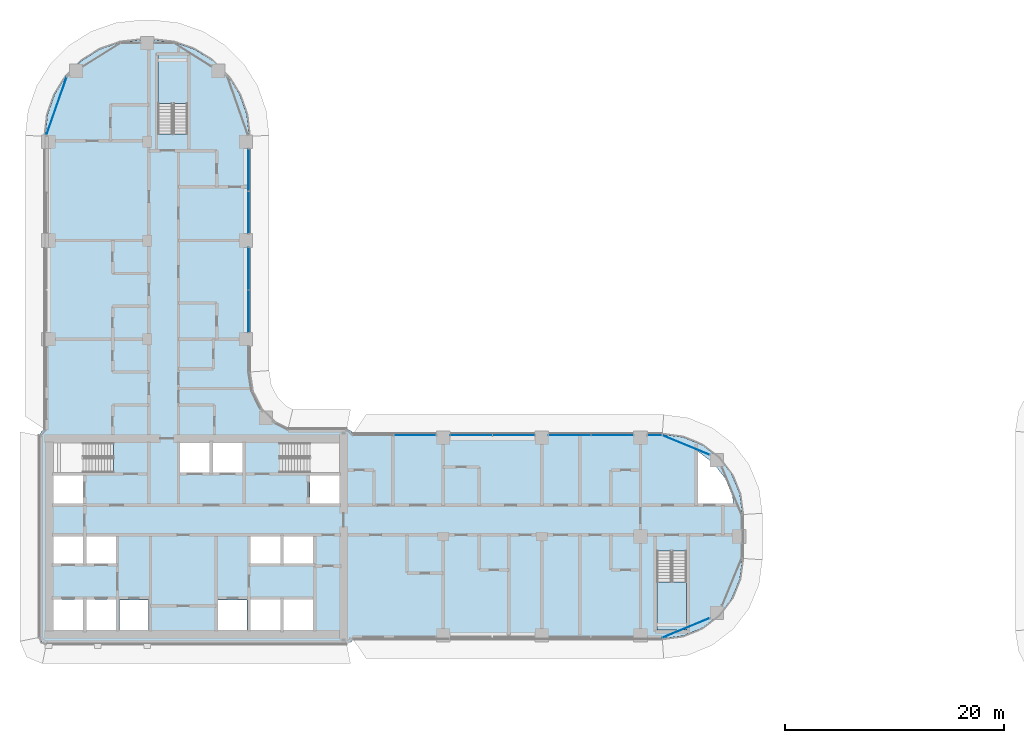
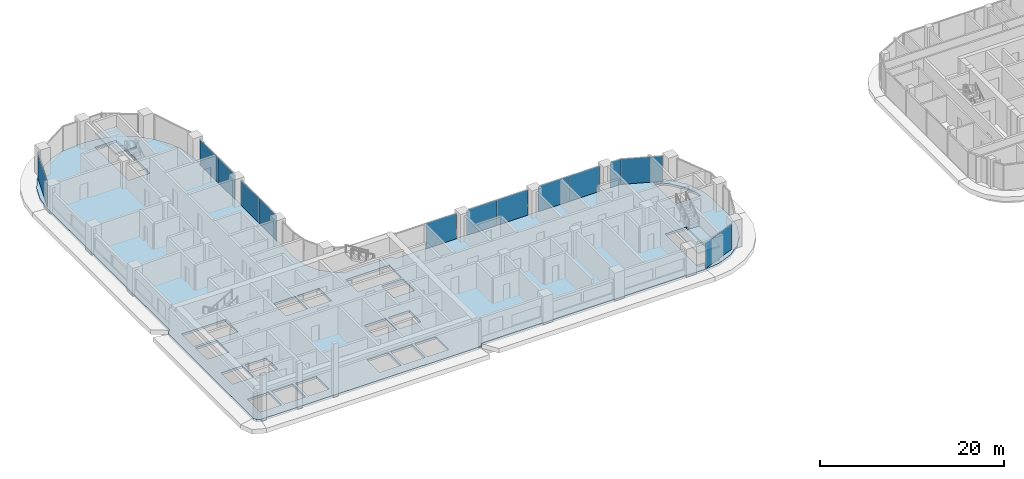
# One storey, part 12 of 33: 13 plates, 3 slabs, 11 elements without a shape of their own.
"""IFC4 building model written with IfcOpenShell, lengths in metres."""

from ifc_helpers import new_model, si_unit, direction, frame, origin, origin_2d, place, context, subcontext, project, spatial, polyline, rectangle, outline, extrude, material, layer, layer_set, type_object, element, aggregate, save


model = new_model("IFC4")

# Units and contexts
model_context = context("Model", 3, precision=1e-05, world=origin(), true_north=direction((0.0, 1.0)))
body_context = subcontext(model_context, "Body", "Model", "MODEL_VIEW")
ifc_project = project(units=[si_unit("LENGTHUNIT", "METRE"), si_unit("AREAUNIT", "SQUARE_METRE"), si_unit("VOLUMEUNIT", "CUBIC_METRE"), si_unit("PLANEANGLEUNIT", "RADIAN"), si_unit("MASSUNIT", "GRAM", prefix="KILO")], contexts=[model_context])

# Site, building, storey
site_placement = place(None, origin())
site = spatial("IfcSite", under=ifc_project, at=site_placement, CompositionType="ELEMENT")
building_placement = place(site_placement, origin())
building = spatial("IfcBuilding", under=site, at=building_placement, Name="Ogive Portal Towers", CompositionType="ELEMENT")
storey_placement = place(building_placement, frame((0.0, 0.0, 98.199951171875)))
storey = spatial("IfcBuildingStorey", under=building, at=storey_placement, Name="L23", CompositionType="ELEMENT", Elevation=98.199951171875)

# Curtain wall, plates
ifc_material_1 = material(Name="Glass, clear low-iron insulated glazing", Category="glass")
curtain_wall_type = type_object("IfcCurtainWallType", Name="CW FRONT RIBBON 4500", PredefinedType="NOTDEFINED", material=ifc_material_1)
curtain_wall_1_placement = place(storey_placement, origin())
curtain_wall_1 = element("IfcCurtainWall", 1, at=curtain_wall_1_placement, inside=storey, type_object=curtain_wall_type, Name="A:L23:f06:cw0~1", PredefinedType="NOTDEFINED")
ifc_layer_1 = layer(ifc_material_1, 0.028076171875)
ifc_layer_set_1 = layer_set([ifc_layer_1], Name="CW PANEL IGU 28")
plate_type = type_object("IfcPlateType", Name="CW PANEL IGU 28", PredefinedType="CURTAIN_PANEL", material=ifc_layer_set_1)
plate_1_placement = place(storey_placement, frame((49.739990234375, 51.0625, 0.0), z_axis=(0.0, 0.0, 1.0), x_axis=(0.0, 1.0, 0.0)))
plate_1 = element("IfcPlate", 2, at=plate_1_placement, type_object=plate_type, Name="panel", PredefinedType="CURTAIN_PANEL", context=body_context, shape_type="SweptSolid", body=[
    extrude(rectangle(XDim=3.81494140625, YDim=0.028076171875, at=origin_2d()), origin(), (0.0, 0.0, 1.0), 3.340087890625),
])
plate_2_placement = place(storey_placement, frame((49.739990234375, 54.9375, 0.0), z_axis=(0.0, 0.0, 1.0), x_axis=(0.0, 1.0, 0.0)))
plate_2 = element("IfcPlate", 3, at=plate_2_placement, type_object=plate_type, Name="panel", PredefinedType="CURTAIN_PANEL", context=body_context, shape_type="SweptSolid", body=[
    extrude(rectangle(XDim=3.81494140625, YDim=0.028076171875, at=origin_2d()), origin(), (0.0, 0.0, 1.0), 3.340087890625),
])
aggregate(curtain_wall_1, [plate_1, plate_2])

curtain_wall_2_placement = place(storey_placement, origin())
curtain_wall_2 = element("IfcCurtainWall", 4, at=curtain_wall_2_placement, inside=storey, type_object=curtain_wall_type, Name="A:L23:f06:cw0~2", PredefinedType="NOTDEFINED")
plate_3_placement = place(storey_placement, frame((49.739990234375, 60.0625, 0.0), z_axis=(0.0, 0.0, 1.0), x_axis=(0.0, 1.0, 0.0)))
plate_3 = element("IfcPlate", 5, at=plate_3_placement, type_object=plate_type, Name="panel", PredefinedType="CURTAIN_PANEL", context=body_context, shape_type="SweptSolid", body=[
    extrude(rectangle(XDim=3.81494140625, YDim=0.028076171875, at=origin_2d()), origin(), (0.0, 0.0, 1.0), 3.340087890625),
])
plate_4_placement = place(storey_placement, frame((49.739990234375, 63.9375, 0.0), z_axis=(0.0, 0.0, 1.0), x_axis=(0.0, 1.0, 0.0)))
plate_4 = element("IfcPlate", 6, at=plate_4_placement, type_object=plate_type, Name="panel", PredefinedType="CURTAIN_PANEL", context=body_context, shape_type="SweptSolid", body=[
    extrude(rectangle(XDim=3.81494140625, YDim=0.028076171875, at=origin_2d()), origin(), (0.0, 0.0, 1.0), 3.340087890625),
])
aggregate(curtain_wall_2, [plate_3, plate_4])

# Curtain wall, plate
curtain_wall_3_placement = place(storey_placement, origin())
curtain_wall_3 = element("IfcCurtainWall", 7, at=curtain_wall_3_placement, inside=storey, type_object=curtain_wall_type, Name="A:L23:f26:cw0~0", PredefinedType="NOTDEFINED")
plate_5_placement = place(storey_placement, frame((86.804443359375, 39.739990234375, 0.0), z_axis=(0.0, 0.0, 1.0), x_axis=(-1.0, 0.0, 0.0)))
plate_5 = element("IfcPlate", 8, at=plate_5_placement, type_object=plate_type, Name="panel", PredefinedType="CURTAIN_PANEL", context=body_context, shape_type="SweptSolid", body=[
    extrude(rectangle(XDim=1.299072265625, YDim=0.028076171875, at=origin_2d()), origin(), (0.0, 0.0, 1.0), 3.340087890625),
])
aggregate(curtain_wall_3, [plate_5])

# Curtain wall, plates
curtain_wall_4_placement = place(storey_placement, origin())
curtain_wall_4 = element("IfcCurtainWall", 9, at=curtain_wall_4_placement, inside=storey, type_object=curtain_wall_type, Name="A:L23:f26:cw0~1", PredefinedType="NOTDEFINED")
plate_6_placement = place(storey_placement, frame((82.9375, 39.739990234375, 0.0), z_axis=(0.0, 0.0, 1.0), x_axis=(-1.0, 0.0, 0.0)))
plate_6 = element("IfcPlate", 10, at=plate_6_placement, type_object=plate_type, Name="panel", PredefinedType="CURTAIN_PANEL", context=body_context, shape_type="SweptSolid", body=[
    extrude(rectangle(XDim=3.81494140625, YDim=0.028076171875, at=origin_2d()), origin(), (0.0, 0.0, 1.0), 3.340087890625),
])
plate_7_placement = place(storey_placement, frame((79.0625, 39.739990234375, 0.0), z_axis=(0.0, 0.0, 1.0), x_axis=(-1.0, 0.0, 0.0)))
plate_7 = element("IfcPlate", 11, at=plate_7_placement, type_object=plate_type, Name="panel", PredefinedType="CURTAIN_PANEL", context=body_context, shape_type="SweptSolid", body=[
    extrude(rectangle(XDim=3.81494140625, YDim=0.028076171875, at=origin_2d()), origin(), (0.0, 0.0, 1.0), 3.340087890625),
])
aggregate(curtain_wall_4, [plate_6, plate_7])

curtain_wall_5_placement = place(storey_placement, origin())
curtain_wall_5 = element("IfcCurtainWall", 12, at=curtain_wall_5_placement, inside=storey, type_object=curtain_wall_type, Name="A:L23:f26:cw0~2", PredefinedType="NOTDEFINED")
plate_8_placement = place(storey_placement, frame((73.9375, 39.739990234375, 0.0), z_axis=(0.0, 0.0, 1.0), x_axis=(-1.0, 0.0, 0.0)))
plate_8 = element("IfcPlate", 13, at=plate_8_placement, type_object=plate_type, Name="panel", PredefinedType="CURTAIN_PANEL", context=body_context, shape_type="SweptSolid", body=[
    extrude(rectangle(XDim=3.81494140625, YDim=0.028076171875, at=origin_2d()), origin(), (0.0, 0.0, 1.0), 3.340087890625),
])
plate_9_placement = place(storey_placement, frame((70.0625, 39.739990234375, 0.0), z_axis=(0.0, 0.0, 1.0), x_axis=(-1.0, 0.0, 0.0)))
plate_9 = element("IfcPlate", 14, at=plate_9_placement, type_object=plate_type, Name="panel", PredefinedType="CURTAIN_PANEL", context=body_context, shape_type="SweptSolid", body=[
    extrude(rectangle(XDim=3.81494140625, YDim=0.028076171875, at=origin_2d()), origin(), (0.0, 0.0, 1.0), 3.340087890625),
])
aggregate(curtain_wall_5, [plate_8, plate_9])

# Curtain wall, plate
curtain_wall_6_placement = place(storey_placement, origin())
curtain_wall_6 = element("IfcCurtainWall", 15, at=curtain_wall_6_placement, inside=storey, type_object=curtain_wall_type, Name="A:L23:f26:cw0~3", PredefinedType="NOTDEFINED")
plate_10_placement = place(storey_placement, frame((64.9375, 39.739990234375, 0.0), z_axis=(0.0, 0.0, 1.0), x_axis=(-1.0, 0.0, 0.0)))
plate_10 = element("IfcPlate", 16, at=plate_10_placement, type_object=plate_type, Name="panel", PredefinedType="CURTAIN_PANEL", context=body_context, shape_type="SweptSolid", body=[
    extrude(rectangle(XDim=3.81494140625, YDim=0.028076171875, at=origin_2d()), origin(), (0.0, 0.0, 1.0), 3.340087890625),
])
aggregate(curtain_wall_6, [plate_10])

curtain_wall_7_placement = place(storey_placement, origin())
curtain_wall_7 = element("IfcCurtainWall", 17, at=curtain_wall_7_placement, inside=storey, type_object=curtain_wall_type, Name="A:L23:f07:cwa~3", PredefinedType="NOTDEFINED")
plate_11_placement = place(storey_placement, frame((32.239501953125, 69.78564453125, 0.0), z_axis=(0.0, 0.0, 1.0), x_axis=(-0.33027906196, -0.943883330307, 0.0)))
plate_11 = element("IfcPlate", 18, at=plate_11_placement, type_object=plate_type, Name="panel", PredefinedType="CURTAIN_PANEL", context=body_context, shape_type="SweptSolid", body=[
    extrude(rectangle(XDim=5.57763671875, YDim=0.028076171875, at=origin_2d()), origin(), (0.0, 0.0, 1.0), 3.340087890625),
])
aggregate(curtain_wall_7, [plate_11])

curtain_wall_8_placement = place(storey_placement, origin())
curtain_wall_8 = element("IfcCurtainWall", 19, at=curtain_wall_8_placement, inside=storey, type_object=curtain_wall_type, Name="A:L23:f21:cwa~0", PredefinedType="NOTDEFINED")
plate_12_placement = place(storey_placement, frame((89.654541015625, 22.158935546875, 0.0), z_axis=(0.0, 0.0, 1.0), x_axis=(0.923879532511, 0.382683432365, 0.0)))
plate_12 = element("IfcPlate", 20, at=plate_12_placement, type_object=plate_type, Name="panel", PredefinedType="CURTAIN_PANEL", context=body_context, shape_type="SweptSolid", body=[
    extrude(rectangle(XDim=4.638671875, YDim=0.028076171875, at=origin_2d()), origin(), (0.0, 0.0, 1.0), 3.340087890625),
])
aggregate(curtain_wall_8, [plate_12])

curtain_wall_9_placement = place(storey_placement, origin())
curtain_wall_9 = element("IfcCurtainWall", 21, at=curtain_wall_9_placement, inside=storey, type_object=curtain_wall_type, Name="A:L23:f24:cwa~1", PredefinedType="NOTDEFINED")
plate_13_placement = place(storey_placement, frame((89.654541015625, 38.841064453125, 0.0), z_axis=(0.0, 0.0, 1.0), x_axis=(-0.923879532511, 0.382683432365, 0.0)))
plate_13 = element("IfcPlate", 22, at=plate_13_placement, type_object=plate_type, Name="panel", PredefinedType="CURTAIN_PANEL", context=body_context, shape_type="SweptSolid", body=[
    extrude(rectangle(XDim=4.638671875, YDim=0.028076171875, at=origin_2d()), origin(), (0.0, 0.0, 1.0), 3.340087890625),
])
aggregate(curtain_wall_9, [plate_13])

# Stair, slab
ifc_material_2 = material(Name="Concrete C40/50", Category="concrete")
stair_type = type_object("IfcStairType", Name="INT-STAIR", PredefinedType="HALF_TURN_STAIR", material=ifc_material_2)
stair_1_placement = place(storey_placement, origin())
stair_1 = element("IfcStair", 23, at=stair_1_placement, inside=storey, type_object=stair_type, Name="L23 Exit Stair ST-A3", PredefinedType="HALF_TURN_STAIR")
ifc_layer_2 = layer(ifc_material_2, 0.199951171875)
ifc_layer_set_2 = layer_set([ifc_layer_2], Name="INT-LANDING")
slab_type_1 = type_object("IfcSlabType", Name="INT-LANDING", PredefinedType="LANDING", material=ifc_layer_set_2)
slab_1_placement = place(storey_placement, frame((0.0, 0.0, 1.650146484375)))
slab_1 = element("IfcSlab", 24, at=slab_1_placement, type_object=slab_type_1, Name="ST-A3 landing 1", PredefinedType="LANDING", context=body_context, shape_type="SweptSolid", body=[
    extrude(outline(polyline([(44.199951171875, 70.0), (44.199951171875, 74.449951171875), (41.5, 74.449951171875), (41.5, 70.0), (44.199951171875, 70.0)])), origin(), (0.0, 0.0, 1.0), 0.199951171875),
])
aggregate(stair_1, [slab_1])

stair_2_placement = place(storey_placement, origin())
stair_2 = element("IfcStair", 25, at=stair_2_placement, inside=storey, type_object=stair_type, Name="L23 Exit Stair ST-A4", PredefinedType="HALF_TURN_STAIR")
slab_2_placement = place(storey_placement, frame((0.0, 0.0, 1.650146484375)))
slab_2 = element("IfcSlab", 26, at=slab_2_placement, type_object=slab_type_1, Name="ST-A4 landing 1", PredefinedType="LANDING", context=body_context, shape_type="SweptSolid", body=[
    extrude(outline(polyline([(87.0, 26.3701171875), (87.0, 21.949951171875), (89.699951171875, 21.949951171875), (89.699951171875, 26.3701171875), (87.0, 26.3701171875)])), origin(), (0.0, 0.0, 1.0), 0.199951171875),
])
aggregate(stair_2, [slab_2])

# Slab
ifc_material_3 = material(Name="Concrete C45/55", Category="concrete")
ifc_layer_3 = layer(ifc_material_3, 0.300048828125)
ifc_layer_set_3 = layer_set([ifc_layer_3], Name="PT FLAT PLATE 300")
slab_type_2 = type_object("IfcSlabType", Name="PT FLAT PLATE 300", PredefinedType="FLOOR", material=ifc_layer_set_3)
slab_3_placement = place(storey_placement, frame((0.0, 0.0, -0.300048828125)))
element("IfcSlab", 27, at=slab_3_placement, inside=storey, type_object=slab_type_2, Name="Floor slab L23", PredefinedType="FLOOR", context=body_context, shape_type="SweptSolid", body=[
    extrude(outline(polyline([(89.39453125, 39.570556640625), (87.5, 39.820068359375), (59.250244140625, 39.820068359375), (59.124267578125, 40.124267578125), (58.699951171875, 40.300048828125), (53.348388671875, 40.300048828125), (52.161376953125, 40.90478515625), (50.90478515625, 42.161376953125), (50.097900390625, 43.744873046875), (49.820068359375, 45.5), (49.820068359375, 67.0), (49.598876953125, 68.962646484375), (48.946533203125, 70.826904296875), (47.895751953125, 72.499267578125), (46.499267578125, 73.895751953125), (44.826904296875, 74.946533203125), (42.962646484375, 75.598876953125), (41.0, 75.820068359375), (40.0, 75.820068359375), (38.037353515625, 75.598876953125), (36.173095703125, 74.946533203125), (34.500732421875, 73.895751953125), (33.104248046875, 72.499267578125), (32.053466796875, 70.826904296875), (31.401123046875, 68.962646484375), (31.179931640625, 67.0), (31.179931640625, 40.250244140625), (30.875732421875, 40.124267578125), (30.699951171875, 39.699951171875), (30.699951171875, 21.300048828125), (30.875732421875, 20.875732421875), (31.300048828125, 20.699951171875), (58.699951171875, 20.699951171875), (59.124267578125, 20.875732421875), (59.250244140625, 21.179931640625), (87.5, 21.179931640625), (89.39453125, 21.429443359375), (91.159912109375, 22.16064453125), (92.676025390625, 23.323974609375), (93.83935546875, 24.840087890625), (94.570556640625, 26.60546875), (94.820068359375, 28.5), (94.820068359375, 32.5), (94.570556640625, 34.39453125), (93.83935546875, 36.159912109375), (92.676025390625, 37.676025390625), (91.159912109375, 38.83935546875), (89.39453125, 39.570556640625)]), holes=[polyline([(34.64990234375, 24.75), (34.64990234375, 21.949951171875), (31.949951171875, 21.949951171875), (31.949951171875, 24.75), (34.64990234375, 24.75)]), polyline([(37.64990234375, 24.75), (37.64990234375, 21.949951171875), (34.949951171875, 21.949951171875), (34.949951171875, 24.75), (37.64990234375, 24.75)]), polyline([(40.6298828125, 21.969970703125), (37.969970703125, 21.969970703125), (37.969970703125, 24.72998046875), (40.6298828125, 24.72998046875), (40.6298828125, 21.969970703125)]), polyline([(46.969970703125, 21.969970703125), (46.969970703125, 24.72998046875), (49.6298828125, 24.72998046875), (49.6298828125, 21.969970703125), (46.969970703125, 21.969970703125)]), polyline([(34.64990234375, 28.050048828125), (31.949951171875, 28.050048828125), (31.949951171875, 30.5), (34.64990234375, 30.5), (34.64990234375, 28.050048828125)]), polyline([(37.64990234375, 30.5), (37.64990234375, 28.050048828125), (34.949951171875, 28.050048828125), (34.949951171875, 30.5), (37.64990234375, 30.5)]), polyline([(34.64990234375, 36.050048828125), (34.64990234375, 33.5), (31.949951171875, 33.5), (31.949951171875, 36.050048828125), (34.64990234375, 36.050048828125)]), polyline([(31.951904296875, 39.048095703125), (37.447998046875, 39.048095703125), (37.447998046875, 36.35205078125), (31.951904296875, 36.35205078125), (31.951904296875, 39.048095703125)]), polyline([(46.199951171875, 36.35009765625), (43.5, 36.35009765625), (43.5, 39.050048828125), (46.199951171875, 39.050048828125), (46.199951171875, 36.35009765625)]), polyline([(49.199951171875, 36.35009765625), (46.5, 36.35009765625), (46.5, 39.050048828125), (49.199951171875, 39.050048828125), (49.199951171875, 36.35009765625)]), polyline([(44.197998046875, 74.447998046875), (44.197998046875, 67.201904296875), (41.501953125, 67.201904296875), (41.501953125, 74.447998046875), (44.197998046875, 74.447998046875)]), polyline([(52.64990234375, 24.75), (52.64990234375, 21.949951171875), (49.949951171875, 21.949951171875), (49.949951171875, 24.75), (52.64990234375, 24.75)]), polyline([(55.64990234375, 21.949951171875), (52.949951171875, 21.949951171875), (52.949951171875, 24.75), (55.64990234375, 24.75), (55.64990234375, 21.949951171875)]), polyline([(87.001953125, 29.16796875), (89.697998046875, 29.16796875), (89.697998046875, 21.951904296875), (87.001953125, 21.951904296875), (87.001953125, 29.16796875)]), polyline([(52.64990234375, 30.5), (52.64990234375, 28.050048828125), (49.949951171875, 28.050048828125), (49.949951171875, 30.5), (52.64990234375, 30.5)]), polyline([(55.64990234375, 28.050048828125), (52.949951171875, 28.050048828125), (52.949951171875, 30.5), (55.64990234375, 30.5), (55.64990234375, 28.050048828125)]), polyline([(58.050048828125, 36.050048828125), (58.050048828125, 33.5), (55.35009765625, 33.5), (55.35009765625, 36.050048828125), (58.050048828125, 36.050048828125)]), polyline([(93.227783203125, 35.806884765625), (93.888671875, 34.2119140625), (93.979736328125, 33.52001953125), (90.77001953125, 33.52001953125), (90.77001953125, 38.2431640625), (90.806884765625, 38.227783203125), (92.1767578125, 37.1767578125), (93.227783203125, 35.806884765625)]), polyline([(52.552001953125, 36.35205078125), (52.552001953125, 39.048095703125), (58.048095703125, 39.048095703125), (58.048095703125, 36.35205078125), (52.552001953125, 36.35205078125)])]), origin(), (0.0, 0.0, 1.0), 0.300048828125),
])

save(model, "model.ifc")
